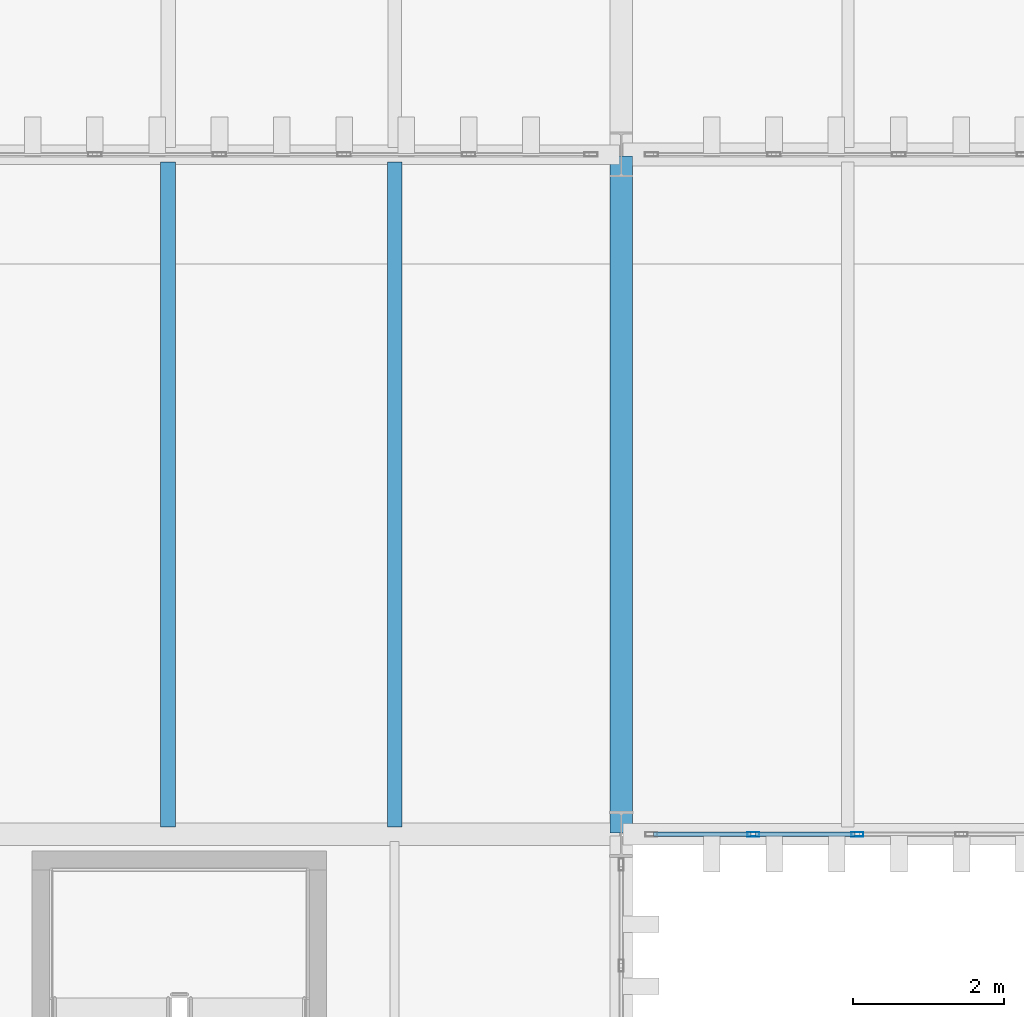
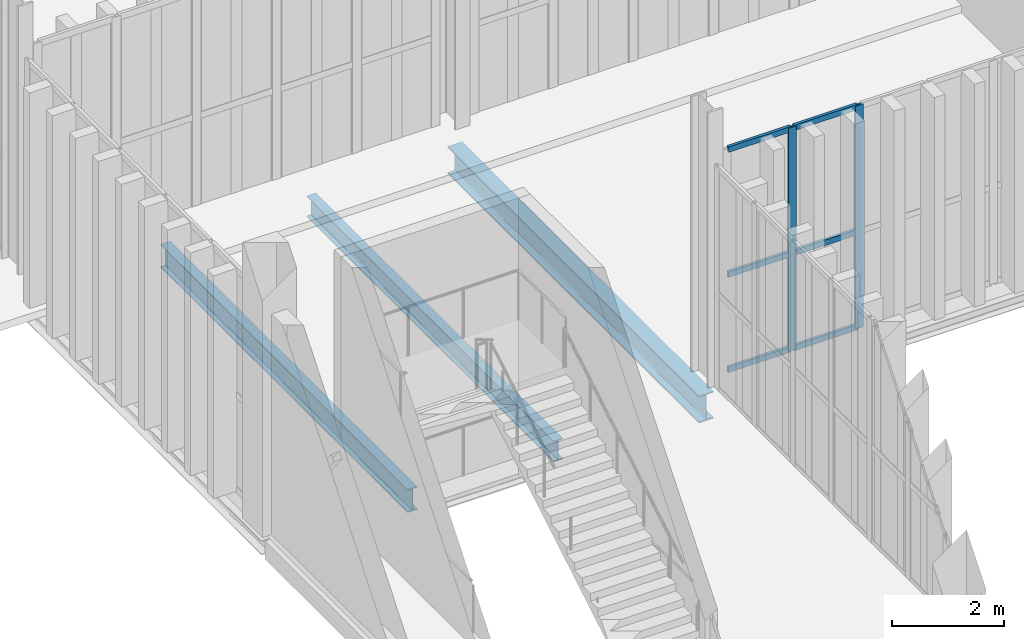
# One storey, part 139 of 237: 8 members, 3 beams, 1 element without a shape of its own.
"""IFC4 building model written with IfcOpenShell, lengths in metres."""

from ifc_helpers import new_model, si_unit, direction, frame, origin, origin_2d, place, context, subcontext, project, spatial, hollow_rectangle, i_section, extrude, material, layer, layer_set, material_profile, profile_set, type_object, element, aggregate, save


model = new_model("IFC4")

# Units and contexts
model_context = context("Model", 3, precision=1e-05, world=origin(), true_north=direction((0.0, 1.0)))
body_context = subcontext(model_context, "Body", "Model", "MODEL_VIEW")
ifc_project = project(units=[si_unit("LENGTHUNIT", "METRE"), si_unit("AREAUNIT", "SQUARE_METRE"), si_unit("VOLUMEUNIT", "CUBIC_METRE"), si_unit("PLANEANGLEUNIT", "RADIAN"), si_unit("MASSUNIT", "GRAM", prefix="KILO")], contexts=[model_context])

# Site, building, storey
site_placement = place(None, origin())
site = spatial("IfcSite", under=ifc_project, at=site_placement, CompositionType="ELEMENT")
building_placement = place(site_placement, origin())
building = spatial("IfcBuilding", under=site, at=building_placement, Name="Barlavento Convention Centre", CompositionType="ELEMENT")
storey_placement = place(building_placement, frame((0.0, 0.0, 12.0)))
storey = spatial("IfcBuildingStorey", under=building, at=storey_placement, Name="L02", CompositionType="ELEMENT", Elevation=12.0)

# Curtain wall, members
ifc_material_1 = material(Name="Powder-coated aluminium and Low-E glass", Category="aluminium")
ifc_layer = layer(ifc_material_1, 0.195068359375)
ifc_layer_set = layer_set([ifc_layer], Name="ARC-CW-PATIO-A")
curtain_wall_type = type_object("IfcCurtainWallType", Name="ARC-CW-PATIO-A", PredefinedType="NOTDEFINED", material=ifc_layer_set)
curtain_wall_placement = place(storey_placement, origin())
curtain_wall = element("IfcCurtainWall", 1, at=curtain_wall_placement, inside=storey, type_object=curtain_wall_type, Name="L02 unitised curtain wall CW11", PredefinedType="NOTDEFINED")
ifc_material_2 = material(Name="Powder-coated aluminium", Category="aluminium")
ifc_material_profile_1 = material_profile(ifc_material_2, hollow_rectangle(XDim=0.06005859375, YDim=0.159912109375, WallThickness=0.00390625, at=origin_2d()), Name="AL-MULL 60x160x4")
ifc_profile_set_1 = profile_set([ifc_material_profile_1], Name="Powder-coated aluminium")
member_type_1 = type_object("IfcMemberType", Name="ARC-CWM-60X160", PredefinedType="MULLION", material=ifc_profile_set_1)
member_1_placement = place(storey_placement, frame((136.748291015625, 90.0, 0.0), z_axis=(0.0, 0.0, 1.0), x_axis=(0.0, 1.0, 0.0)))
member_1 = element("IfcMember", 2, at=member_1_placement, type_object=member_type_1, Name="CW11 mullion 2", PredefinedType="MULLION", context=body_context, shape_type="SweptSolid", body=[
    extrude(hollow_rectangle(XDim=0.06005859375, YDim=0.159912109375, WallThickness=0.00390625, at=origin_2d()), origin(), (0.0, 0.0, 1.0), 4.85009765625),
])
member_2_placement = place(storey_placement, frame((138.126708984375, 90.0, 0.0), z_axis=(0.0, 0.0, 1.0), x_axis=(0.0, 1.0, 0.0)))
member_2 = element("IfcMember", 3, at=member_2_placement, type_object=member_type_1, Name="CW11 mullion 3", PredefinedType="MULLION", context=body_context, shape_type="SweptSolid", body=[
    extrude(hollow_rectangle(XDim=0.06005859375, YDim=0.159912109375, WallThickness=0.00390625, at=origin_2d()), origin(), (0.0, 0.0, 1.0), 4.85009765625),
])
ifc_material_profile_2 = material_profile(ifc_material_2, hollow_rectangle(XDim=0.06005859375, YDim=0.1201171875, WallThickness=0.00390625, at=origin_2d()), Name="AL-TRAN 60x120x4")
ifc_profile_set_2 = profile_set([ifc_material_profile_2], Name="Powder-coated aluminium")
member_type_2 = type_object("IfcMemberType", Name="ARC-CWT-60X120", PredefinedType="USERDEFINED", material=ifc_profile_set_2)
member_3_placement = place(storey_placement, frame((135.429931640625, 90.0, 0.030029296875), z_axis=(1.0, 0.0, 0.0), x_axis=(0.0, 1.0, 0.0)))
member_3 = element("IfcMember", 4, at=member_3_placement, type_object=member_type_2, Name="CW11 transom 1.1", ObjectType="TRANSOM", PredefinedType="USERDEFINED", context=body_context, shape_type="SweptSolid", body=[
    extrude(hollow_rectangle(XDim=0.06005859375, YDim=0.1201171875, WallThickness=0.00390625, at=origin_2d()), origin(), (0.0, 0.0, 1.0), 1.288330078125),
])
member_4_placement = place(storey_placement, frame((135.429931640625, 90.0, 2.10009765625), z_axis=(1.0, 0.0, 0.0), x_axis=(0.0, 1.0, 0.0)))
member_4 = element("IfcMember", 5, at=member_4_placement, type_object=member_type_2, Name="CW11 transom 1.2", ObjectType="TRANSOM", PredefinedType="USERDEFINED", context=body_context, shape_type="SweptSolid", body=[
    extrude(hollow_rectangle(XDim=0.06005859375, YDim=0.1201171875, WallThickness=0.00390625, at=origin_2d()), origin(), (0.0, 0.0, 1.0), 1.288330078125),
])
member_5_placement = place(storey_placement, frame((135.429931640625, 90.0, 4.820068359375), z_axis=(1.0, 0.0, 0.0), x_axis=(0.0, 1.0, 0.0)))
member_5 = element("IfcMember", 6, at=member_5_placement, type_object=member_type_2, Name="CW11 transom 1.3", ObjectType="TRANSOM", PredefinedType="USERDEFINED", context=body_context, shape_type="SweptSolid", body=[
    extrude(hollow_rectangle(XDim=0.06005859375, YDim=0.1201171875, WallThickness=0.00390625, at=origin_2d()), origin(), (0.0, 0.0, 1.0), 1.288330078125),
])
member_6_placement = place(storey_placement, frame((136.7783203125, 90.0, 0.030029296875), z_axis=(1.0, 0.0, 0.0), x_axis=(0.0, 1.0, 0.0)))
member_6 = element("IfcMember", 7, at=member_6_placement, type_object=member_type_2, Name="CW11 transom 2.1", ObjectType="TRANSOM", PredefinedType="USERDEFINED", context=body_context, shape_type="SweptSolid", body=[
    extrude(hollow_rectangle(XDim=0.06005859375, YDim=0.1201171875, WallThickness=0.00390625, at=origin_2d()), origin(), (0.0, 0.0, 1.0), 1.318359375),
])
member_7_placement = place(storey_placement, frame((136.7783203125, 90.0, 2.10009765625), z_axis=(1.0, 0.0, 0.0), x_axis=(0.0, 1.0, 0.0)))
member_7 = element("IfcMember", 8, at=member_7_placement, type_object=member_type_2, Name="CW11 transom 2.2", ObjectType="TRANSOM", PredefinedType="USERDEFINED", context=body_context, shape_type="SweptSolid", body=[
    extrude(hollow_rectangle(XDim=0.06005859375, YDim=0.1201171875, WallThickness=0.00390625, at=origin_2d()), origin(), (0.0, 0.0, 1.0), 1.318359375),
])
member_8_placement = place(storey_placement, frame((136.7783203125, 90.0, 4.820068359375), z_axis=(1.0, 0.0, 0.0), x_axis=(0.0, 1.0, 0.0)))
member_8 = element("IfcMember", 9, at=member_8_placement, type_object=member_type_2, Name="CW11 transom 2.3", ObjectType="TRANSOM", PredefinedType="USERDEFINED", context=body_context, shape_type="SweptSolid", body=[
    extrude(hollow_rectangle(XDim=0.06005859375, YDim=0.1201171875, WallThickness=0.00390625, at=origin_2d()), origin(), (0.0, 0.0, 1.0), 1.318359375),
])
aggregate(curtain_wall, [member_1, member_2, member_3, member_4, member_5, member_6, member_7, member_8])

# Beams
ifc_material_3 = material(Name="Steel S355", Category="steel")
ifc_material_profile_3 = material_profile(ifc_material_3, i_section(OverallWidth=0.18994140625, OverallDepth=0.449951171875, WebThickness=0.009521484375, FlangeThickness=0.0146484375, FilletRadius=0.02099609375, at=origin_2d()), Name="IPE 450")
ifc_profile_set_3 = profile_set([ifc_material_profile_3], Name="Steel S355")
beam_type_1 = type_object("IfcBeamType", Name="STR-BM-JST-IPE450", PredefinedType="JOIST", material=ifc_profile_set_3)
beam_1_placement = place(storey_placement, frame((132.0, 90.094970703125, -0.590087890625), z_axis=(0.0, 1.0, 0.0), x_axis=(-1.0, 0.0, 0.0)))
element("IfcBeam", 10, at=beam_1_placement, inside=storey, type_object=beam_type_1, Name="L02 composite floor joist SJ03", PredefinedType="JOIST", context=body_context, shape_type="SweptSolid", body=[
    extrude(i_section(OverallWidth=0.18994140625, OverallDepth=0.449951171875, WebThickness=0.009521484375, FlangeThickness=0.0146484375, FilletRadius=0.02099609375, at=origin_2d()), origin(), (0.0, 0.0, 1.0), 8.81005859375),
])
ifc_material_profile_4 = material_profile(ifc_material_3, i_section(OverallWidth=0.199951171875, OverallDepth=0.5, WebThickness=0.01025390625, FlangeThickness=0.01611328125, FilletRadius=0.02099609375, at=origin_2d()), Name="IPE 500")
ifc_profile_set_4 = profile_set([ifc_material_profile_4], Name="Steel S355")
beam_type_2 = type_object("IfcBeamType", Name="STR-BM-JST-IPE500", PredefinedType="JOIST", material=ifc_profile_set_4)
beam_2_placement = place(storey_placement, frame((129.0, 90.094970703125, -0.614990234375), z_axis=(0.0, 1.0, 0.0), x_axis=(-1.0, 0.0, 0.0)))
element("IfcBeam", 11, at=beam_2_placement, inside=storey, type_object=beam_type_2, Name="L02 composite floor joist SJ02", PredefinedType="JOIST", context=body_context, shape_type="SweptSolid", body=[
    extrude(i_section(OverallWidth=0.199951171875, OverallDepth=0.5, WebThickness=0.01025390625, FlangeThickness=0.01611328125, FilletRadius=0.02099609375, at=origin_2d()), origin(), (0.0, 0.0, 1.0), 8.81005859375),
])
ifc_material_profile_5 = material_profile(ifc_material_3, i_section(OverallWidth=0.300048828125, OverallDepth=0.590087890625, WebThickness=0.012939453125, FlangeThickness=0.02490234375, FilletRadius=0.027099609375, at=origin_2d()), Name="HEA 600")
ifc_profile_set_5 = profile_set([ifc_material_profile_5], Name="Steel S355")
beam_type_3 = type_object("IfcBeamType", Name="STR-BM-PRI-HEA600", PredefinedType="BEAM", material=ifc_profile_set_5)
beam_3_placement = place(storey_placement, frame((135.0, 90.02001953125, -0.659912109375), z_axis=(0.0, 1.0, 0.0), x_axis=(-1.0, 0.0, 0.0)))
element("IfcBeam", 12, at=beam_3_placement, inside=storey, type_object=beam_type_3, Name="L02 grid girder BG18", PredefinedType="BEAM", context=body_context, shape_type="SweptSolid", body=[
    extrude(i_section(OverallWidth=0.300048828125, OverallDepth=0.590087890625, WebThickness=0.012939453125, FlangeThickness=0.02490234375, FilletRadius=0.027099609375, at=origin_2d()), origin(), (0.0, 0.0, 1.0), 8.9599609375),
])

save(model, "model.ifc")
